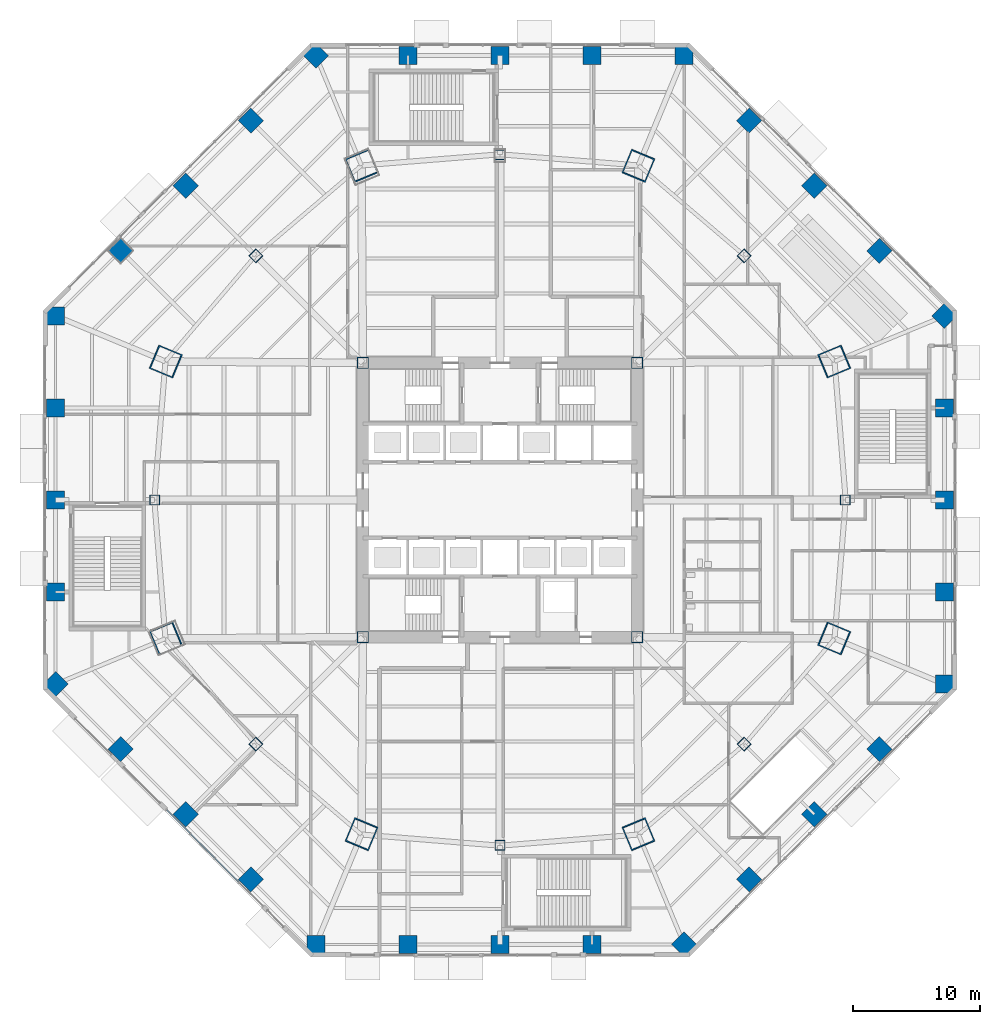
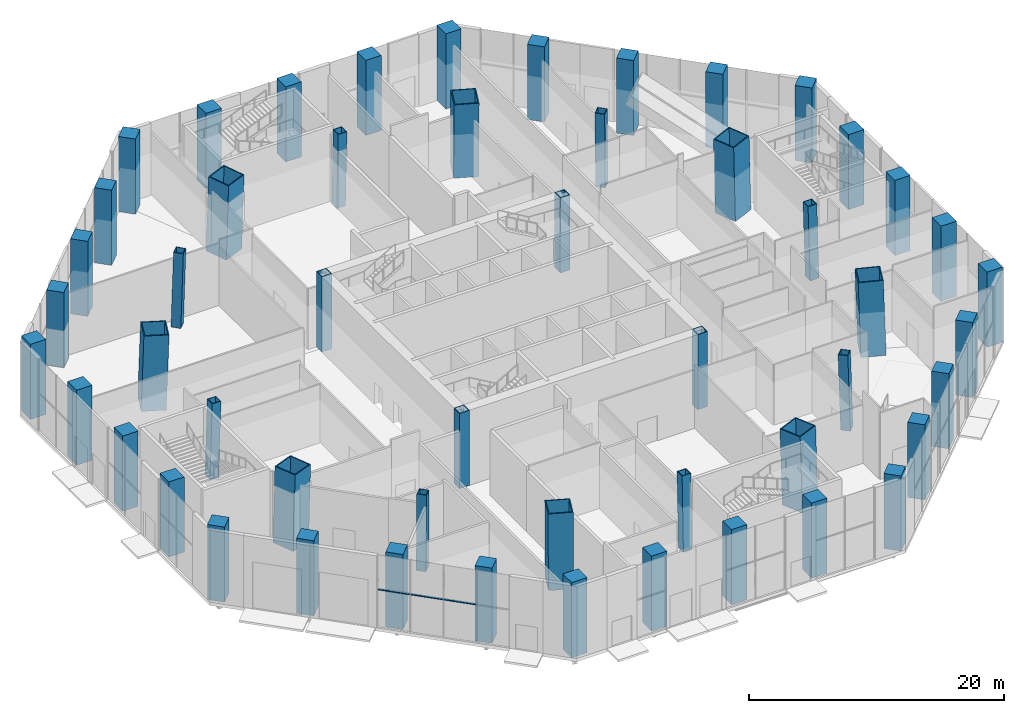
# One storey, part 1 of 35: 52 columns, 3 members, 1 element without a shape of its own.
"""IFC4 building model written with IfcOpenShell, lengths in metres."""

from ifc_helpers import new_model, si_unit, direction, frame, origin, origin_2d, place, context, subcontext, project, spatial, rectangle, hollow_rectangle, extrude, source, transform, mapped, material, material_profile, profile_set, type_object, type_shapes, element, aggregate, save


model = new_model("IFC4")

# Units and contexts
model_context = context("Model", 3, precision=1e-05, world=origin(), true_north=direction((0.0, 1.0)))
body_context = subcontext(model_context, "Body", "Model", "MODEL_VIEW")
ifc_project = project(units=[si_unit("LENGTHUNIT", "METRE"), si_unit("AREAUNIT", "SQUARE_METRE"), si_unit("VOLUMEUNIT", "CUBIC_METRE"), si_unit("PLANEANGLEUNIT", "RADIAN"), si_unit("MASSUNIT", "GRAM", prefix="KILO")], contexts=[model_context])

# Site, building, storey
site_placement = place(None, origin())
site = spatial("IfcSite", under=ifc_project, at=site_placement, CompositionType="ELEMENT")
building_placement = place(site_placement, origin())
building = spatial("IfcBuilding", under=site, at=building_placement, Name="Mashrafa Tower", CompositionType="ELEMENT")
storey_placement = place(building_placement, origin())
storey = spatial("IfcBuildingStorey", under=building, at=storey_placement, Name="L00", CompositionType="ELEMENT", Elevation=0.0)

# Columns
ifc_material_1 = material(Name="Steel ASTM A572 Gr 50", Category="steel")
ifc_material_profile_1 = material_profile(ifc_material_1, hollow_rectangle(XDim=0.89990234375, YDim=0.89990234375, WallThickness=0.06005859375, at=origin_2d()), Name="BOX900X900X60")
ifc_profile_set_1 = profile_set([ifc_material_profile_1], Name="Steel ASTM A572 Gr 50")
column_type_1 = type_object("IfcColumnType", Name="Core corner column BOX900X900X60", PredefinedType="COLUMN", material=ifc_profile_set_1)
for number, where, z_axis, x_axis, name in (
    (1, (10.800048828125, 10.800048828125, 0.0), (0.0, 0.0, 1.0), (1.0, 0.0, 0.0), "Core corner column CC-NE L00"),
    (2, (-10.800048828125, 10.800048828125, 0.0), (0.0, 0.0, 1.0), (1.0, 0.0, 0.0), "Core corner column CC-NW L00"),
    (3, (-10.800048828125, -10.800048828125, 0.0), (0.0, 0.0, 1.0), (1.0, 0.0, 0.0), "Core corner column CC-SW L00"),
    (4, (10.800048828125, -10.800048828125, 0.0), (0.0, 0.0, 1.0), (1.0, 0.0, 0.0), "Core corner column CC-SE L00"),
):
    element("IfcColumn", number, at=place(storey_placement, frame(where, z_axis=z_axis, x_axis=x_axis)), inside=storey, type_object=column_type_1, Name=name, PredefinedType="COLUMN", context=body_context, shape_type="SweptSolid", body=[
        extrude(hollow_rectangle(XDim=0.89990234375, YDim=0.89990234375, WallThickness=0.06005859375, at=origin_2d()), origin(), (0.0, 0.0, 1.0), 7.199951171875),
    ])
ifc_material_2 = material(Name="Steel ASTM A572 Gr 50", Category="steel")
ifc_material_profile_2 = material_profile(ifc_material_2, hollow_rectangle(XDim=2.0, YDim=2.0, WallThickness=0.090087890625, at=origin_2d()), Name="BOX2000X2000X90")
ifc_profile_set_2 = profile_set([ifc_material_profile_2], Name="Steel ASTM A572 Gr 50")
column_type_2 = type_object("IfcColumnType", Name="Mega column CFST BOX2000X2000X90", PredefinedType="COLUMN", material=ifc_profile_set_2)
for number, where, z_axis, x_axis, name in (
    (5, (26.33642578125, 10.908935546875, 0.0), (-0.028266568786, -0.011726897842, 0.999531630793), (0.383199413132, -0.923665637433, 0.0), "Mega column MC1 L00"),
    (6, (10.908935546875, 26.33642578125, 0.0), (-0.011726897842, -0.028266568786, 0.999531630793), (0.923665637433, -0.383199413132, 0.0), "Mega column MC2 L00"),
    (7, (-10.908935546875, 26.33642578125, 0.0), (0.011726897842, -0.028266568786, 0.999531630793), (0.923665637433, 0.383199413132, 0.0), "Mega column MC3 L00"),
    (8, (-26.33642578125, 10.908935546875, 0.0), (0.028266568786, -0.011726897842, 0.999531630793), (0.383199413132, 0.923665637433, 0.0), "Mega column MC4 L00"),
    (9, (-26.33642578125, -10.908935546875, 0.0), (0.028266568786, 0.011726897842, 0.999531630793), (-0.383199413132, 0.923665637433, 0.0), "Mega column MC5 L00"),
    (10, (-10.908935546875, -26.33642578125, 0.0), (0.011726897842, 0.028266568786, 0.999531630793), (-0.923665637433, 0.383199413132, 0.0), "Mega column MC6 L00"),
    (11, (10.908935546875, -26.33642578125, 0.0), (-0.011726897842, 0.028266568786, 0.999531630793), (-0.923665637433, -0.383199413132, 0.0), "Mega column MC7 L00"),
    (12, (26.33642578125, -10.908935546875, 0.0), (-0.028266568786, 0.011726897842, 0.999531630793), (-0.383199413132, -0.923665637433, 0.0), "Mega column MC8 L00"),
):
    element("IfcColumn", number, at=place(storey_placement, frame(where, z_axis=z_axis, x_axis=x_axis)), inside=storey, type_object=column_type_2, Name=name, PredefinedType="COLUMN", context=body_context, shape_type="SweptSolid", body=[
        extrude(hollow_rectangle(XDim=2.0, YDim=2.0, WallThickness=0.090087890625, at=origin_2d()), origin(), (0.0, 0.0, 1.0), 7.203369140625),
    ])
ifc_material_3 = material(Name="Concrete C50/60", Category="concrete")
ifc_material_profile_3 = material_profile(ifc_material_3, rectangle(XDim=1.39990234375, YDim=1.39990234375, at=origin_2d()), Name="RC1400X1400")
ifc_profile_set_3 = profile_set([ifc_material_profile_3], Name="Concrete C50/60")
column_type_3 = type_object("IfcColumnType", Name="Podium column RC1400X1400", PredefinedType="COLUMN", material=ifc_profile_set_3)
for number, where, z_axis, x_axis, name in (
    (13, (35.0, -14.49755859375, 0.0), (0.0, 0.0, 1.0), (1.0, 0.0, 0.0), "Podium column PC01 L00"),
    (14, (35.0, -7.248779296875, 0.0), (0.0, 0.0, 1.0), (1.0, 0.0, 0.0), "Podium column PC02 L00"),
    (15, (35.0, 0.0, 0.0), (0.0, 0.0, 1.0), (1.0, 0.0, 0.0), "Podium column PC03 L00"),
    (16, (35.0, 7.248779296875, 0.0), (0.0, 0.0, 1.0), (1.0, 0.0, 0.0), "Podium column PC04 L00"),
    (17, (35.0, 14.49755859375, 0.0), (0.0, 0.0, 1.0), (0.707106781187, 0.707106781187, 0.0), "Podium column PC05 L00"),
    (18, (29.874267578125, 19.623046875, 0.0), (0.0, 0.0, 1.0), (0.707106781187, 0.707106781187, 0.0), "Podium column PC06 L00"),
    (19, (24.748779296875, 24.748779296875, 0.0), (0.0, 0.0, 1.0), (0.707106781187, 0.707106781187, 0.0), "Podium column PC07 L00"),
    (20, (19.623046875, 29.874267578125, 0.0), (0.0, 0.0, 1.0), (0.707106781187, 0.707106781187, 0.0), "Podium column PC08 L00"),
    (21, (14.49755859375, 35.0, 0.0), (0.0, 0.0, 1.0), (1.0, 0.0, 0.0), "Podium column PC09 L00"),
    (22, (7.248779296875, 35.0, 0.0), (0.0, 0.0, 1.0), (1.0, 0.0, 0.0), "Podium column PC10 L00"),
    (23, (0.0, 35.0, 0.0), (0.0, 0.0, 1.0), (1.0, 0.0, 0.0), "Podium column PC11 L00"),
    (24, (-7.248779296875, 35.0, 0.0), (0.0, 0.0, 1.0), (1.0, 0.0, 0.0), "Podium column PC12 L00"),
    (25, (-14.49755859375, 35.0, 0.0), (0.0, 0.0, 1.0), (0.707106781187, 0.707106781187, 0.0), "Podium column PC13 L00"),
    (26, (-19.623046875, 29.874267578125, 0.0), (0.0, 0.0, 1.0), (0.707106781187, 0.707106781187, 0.0), "Podium column PC14 L00"),
    (27, (-24.748779296875, 24.748779296875, 0.0), (0.0, 0.0, 1.0), (0.707106781187, 0.707106781187, 0.0), "Podium column PC15 L00"),
    (28, (-29.874267578125, 19.623046875, 0.0), (0.0, 0.0, 1.0), (0.707106781187, 0.707106781187, 0.0), "Podium column PC16 L00"),
    (29, (-35.0, 14.49755859375, 0.0), (0.0, 0.0, 1.0), (1.0, 0.0, 0.0), "Podium column PC17 L00"),
    (30, (-35.0, 7.248779296875, 0.0), (0.0, 0.0, 1.0), (1.0, 0.0, 0.0), "Podium column PC18 L00"),
    (31, (-35.0, 0.0, 0.0), (0.0, 0.0, 1.0), (1.0, 0.0, 0.0), "Podium column PC19 L00"),
    (32, (-35.0, -7.248779296875, 0.0), (0.0, 0.0, 1.0), (1.0, 0.0, 0.0), "Podium column PC20 L00"),
    (33, (-35.0, -14.49755859375, 0.0), (0.0, 0.0, 1.0), (0.707106781187, 0.707106781187, 0.0), "Podium column PC21 L00"),
    (34, (-29.874267578125, -19.623046875, 0.0), (0.0, 0.0, 1.0), (0.707106781187, 0.707106781187, 0.0), "Podium column PC22 L00"),
    (35, (-24.748779296875, -24.748779296875, 0.0), (0.0, 0.0, 1.0), (0.707106781187, 0.707106781187, 0.0), "Podium column PC23 L00"),
    (36, (-19.623046875, -29.874267578125, 0.0), (0.0, 0.0, 1.0), (0.707106781187, 0.707106781187, 0.0), "Podium column PC24 L00"),
    (37, (-14.49755859375, -35.0, 0.0), (0.0, 0.0, 1.0), (1.0, 0.0, 0.0), "Podium column PC25 L00"),
    (38, (-7.248779296875, -35.0, 0.0), (0.0, 0.0, 1.0), (1.0, 0.0, 0.0), "Podium column PC26 L00"),
    (39, (0.0, -35.0, 0.0), (0.0, 0.0, 1.0), (1.0, 0.0, 0.0), "Podium column PC27 L00"),
    (40, (7.248779296875, -35.0, 0.0), (0.0, 0.0, 1.0), (1.0, 0.0, 0.0), "Podium column PC28 L00"),
    (41, (14.49755859375, -35.0, 0.0), (0.0, 0.0, 1.0), (0.707106781187, 0.707106781187, 0.0), "Podium column PC29 L00"),
    (42, (19.623046875, -29.874267578125, 0.0), (0.0, 0.0, 1.0), (0.707106781187, 0.707106781187, 0.0), "Podium column PC30 L00"),
    (43, (24.748779296875, -24.748779296875, 0.0), (0.0, 0.0, 1.0), (0.707106781187, 0.707106781187, 0.0), "Podium column PC31 L00"),
    (44, (29.874267578125, -19.623046875, 0.0), (0.0, 0.0, 1.0), (0.707106781187, 0.707106781187, 0.0), "Podium column PC32 L00"),
):
    element("IfcColumn", number, at=place(storey_placement, frame(where, z_axis=z_axis, x_axis=x_axis)), inside=storey, type_object=column_type_3, Name=name, PredefinedType="COLUMN", context=body_context, shape_type="SweptSolid", body=[
        extrude(rectangle(XDim=1.39990234375, YDim=1.39990234375, at=origin_2d()), origin(), (0.0, 0.0, 1.0), 7.199951171875),
    ])
ifc_material_4 = material(Name="Steel ASTM A572 Gr 50", Category="steel")
ifc_material_profile_4 = material_profile(ifc_material_4, hollow_rectangle(XDim=0.800048828125, YDim=0.800048828125, WallThickness=0.050048828125, at=origin_2d()), Name="BOX800X800X50")
ifc_profile_set_4 = profile_set([ifc_material_profile_4], Name="Steel ASTM A572 Gr 50")
column_type_4 = type_object("IfcColumnType", Name="Secondary column BOX800X800X50", PredefinedType="COLUMN", material=ifc_profile_set_4)
for number, where, z_axis, x_axis, name in (
    (45, (27.214599609375, 0.0, 0.0), (-0.028268512598, 0.0, 0.999600365744), (0.0, -1.0, 0.0), "Secondary column SC1 L00"),
    (46, (19.24365234375, 19.24365234375, 0.0), (-0.019998101035, -0.019998101035, 0.999599995953), (0.707106781187, -0.707106781187, 0.0), "Secondary column SC2 L00"),
    (47, (0.0, 27.214599609375, 0.0), (0.0, -0.028268512598, 0.999600365744), (1.0, 0.0, 0.0), "Secondary column SC3 L00"),
    (48, (-19.24365234375, 19.24365234375, 0.0), (0.019998101035, -0.019998101035, 0.999599995953), (0.707106781187, 0.707106781187, 0.0), "Secondary column SC4 L00"),
    (49, (-27.214599609375, 0.0, 0.0), (0.028268512598, 0.0, 0.999600365744), (0.0, 1.0, 0.0), "Secondary column SC5 L00"),
    (50, (-19.24365234375, -19.24365234375, 0.0), (0.019998101035, 0.019998101035, 0.999599995953), (-0.707106781187, 0.707106781187, 0.0), "Secondary column SC6 L00"),
    (51, (0.0, -27.214599609375, 0.0), (0.0, 0.028268512598, 0.999600365744), (-1.0, 0.0, 0.0), "Secondary column SC7 L00"),
    (52, (19.24365234375, -19.24365234375, 0.0), (-0.019998101035, 0.019998101035, 0.999599995953), (-0.707106781187, -0.707106781187, 0.0), "Secondary column SC8 L00"),
):
    element("IfcColumn", number, at=place(storey_placement, frame(where, z_axis=z_axis, x_axis=x_axis)), inside=storey, type_object=column_type_4, Name=name, PredefinedType="COLUMN", context=body_context, shape_type="SweptSolid", body=[
        extrude(hollow_rectangle(XDim=0.800048828125, YDim=0.800048828125, WallThickness=0.050048828125, at=origin_2d()), origin(), (0.0, 0.0, 1.0), 7.202880859375),
    ])

# Curtain wall, members
ifc_material_5 = material(Name="Unitised aluminium curtain wall", Category="aluminium")
curtain_wall_type = type_object("IfcCurtainWallType", Name="Podium storefront CW-P 150 deep", PredefinedType="NOTDEFINED", material=ifc_material_5)
curtain_wall_placement = place(storey_placement, origin())
curtain_wall = element("IfcCurtainWall", 53, at=curtain_wall_placement, inside=storey, type_object=curtain_wall_type, Name="Podium storefront L00 south-west part 1", PredefinedType="NOTDEFINED")
ifc_material_6 = material(Name="Extruded aluminium transom", Category="aluminium")
ifc_material_profile_5 = material_profile(ifc_material_6, rectangle(XDim=0.1201171875, YDim=0.10009765625, at=origin_2d()), Name="Transom 100x120")
ifc_profile_set_5 = profile_set([ifc_material_profile_5], Name="Extruded aluminium transom")
member_type = type_object("IfcMemberType", Name="Transom CW-P 100 x 120", PredefinedType="MULLION", material=ifc_profile_set_5)
shared_shape_1 = source(origin(), body_context, "Body", "SweptSolid", [
    extrude(rectangle(XDim=0.1201171875, YDim=0.10009765625, at=origin_2d()), origin(), (0.0, 0.0, 1.0), 2.606201171875),
])
member_1_placement = place(storey_placement, frame((-26.241943359375, -24.422119140625, 3.60009765625), z_axis=(0.707059942066, -0.707153617204, 0.0), x_axis=(0.707153617204, 0.707059942066, 0.0)))
member_1 = element("IfcMember", 54, at=member_1_placement, type_object=member_type, Name="CW-P transom 1", PredefinedType="MULLION", context=body_context, shape_type="MappedRepresentation", body=[
    mapped(shared_shape_1, transform((0.0, 0.0, 0.0))),
])
shared_shape_2 = source(origin(), body_context, "Body", "SweptSolid", [
    extrude(rectangle(XDim=0.1201171875, YDim=0.10009765625, at=origin_2d()), origin(), (0.0, 0.0, 1.0), 2.638671875),
])
type_shapes(member_type, [shared_shape_1, shared_shape_2])
member_2_placement = place(storey_placement, frame((-24.353271484375, -26.31103515625, 3.60009765625), z_axis=(0.707153041157, -0.707060518189, 0.0), x_axis=(0.707060518189, 0.707153041157, 0.0)))
member_2 = element("IfcMember", 55, at=member_2_placement, type_object=member_type, Name="CW-P transom 2", PredefinedType="MULLION", context=body_context, shape_type="MappedRepresentation", body=[
    mapped(shared_shape_2, transform((0.0, 0.0, 0.0))),
])
member_3_placement = place(storey_placement, frame((-22.44140625, -28.22265625, 3.60009765625), z_axis=(0.707060518189, -0.707153041157, 0.0), x_axis=(0.707153041157, 0.707060518189, 0.0)))
member_3 = element("IfcMember", 56, at=member_3_placement, type_object=member_type, Name="CW-P transom 3", PredefinedType="MULLION", context=body_context, shape_type="MappedRepresentation", body=[
    mapped(shared_shape_2, transform((0.0, 0.0, 0.0))),
])
aggregate(curtain_wall, [member_1, member_2, member_3])

save(model, "model.ifc")
